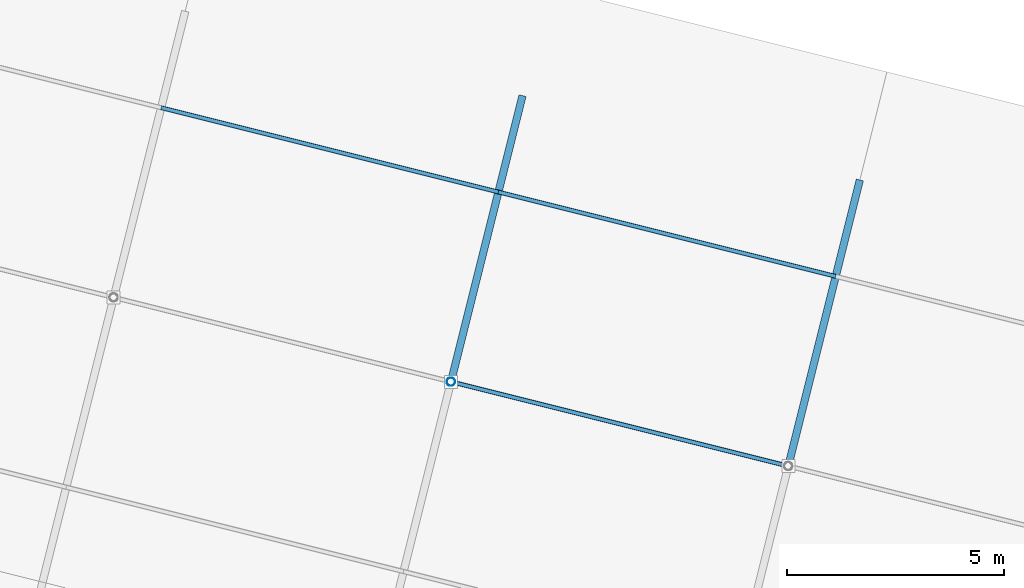
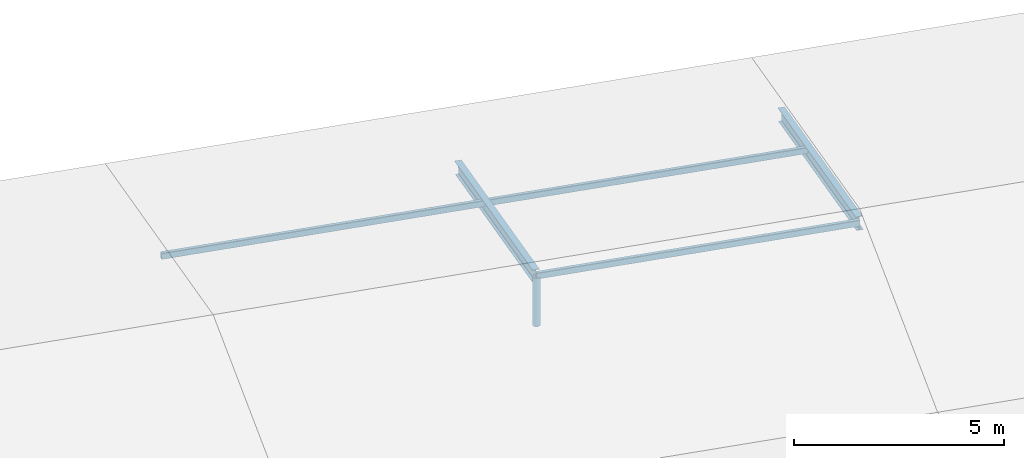
# One storey, part 60 of 107: 6 members.
"""IFC4 building model written with IfcOpenShell, lengths in metres."""

from ifc_helpers import new_model, si_unit, derived_unit, direction, frame, origin, origin_2d, place, context, subcontext, project, spatial, hollow_rectangle, hollow_circle, i_section, extrude, material, material_profile, profile_set, type_object, element, save


model = new_model("IFC4")

# Units and contexts
model_context = context("Model", 3, precision=1e-05, world=origin(), true_north=direction((0.0, 1.0)))
body_context = subcontext(model_context, "Body", "Model", "MODEL_VIEW")
ifc_project = project(units=[si_unit("LENGTHUNIT", "METRE"), si_unit("AREAUNIT", "SQUARE_METRE"), si_unit("VOLUMEUNIT", "CUBIC_METRE"), si_unit("PLANEANGLEUNIT", "RADIAN"), si_unit("MASSUNIT", "GRAM", prefix="KILO"), si_unit("THERMODYNAMICTEMPERATUREUNIT", "KELVIN"), si_unit("TIMEUNIT", "SECOND"), derived_unit("THERMALTRANSMITTANCEUNIT", [(si_unit("MASSUNIT", "GRAM", prefix="KILO"), 1), (si_unit("THERMODYNAMICTEMPERATUREUNIT", "KELVIN"), -1), (si_unit("TIMEUNIT", "SECOND"), -3)])], contexts=[model_context])

# Site, building, storey
site_placement = place(None, origin())
site = spatial("IfcSite", under=ifc_project, at=site_placement, CompositionType="ELEMENT")
building_placement = place(site_placement, origin())
building = spatial("IfcBuilding", under=site, at=building_placement, Name="Cambertide Market Hall", CompositionType="ELEMENT")
storey_placement = place(building_placement, frame((0.0, 0.0, 18.300048828125)))
storey = spatial("IfcBuildingStorey", under=building, at=storey_placement, Name="RF", CompositionType="ELEMENT", Elevation=18.300048828125)

# Members
ifc_material_1 = material(Name="Steel S355", Category="steel")
ifc_material_profile_1 = material_profile(ifc_material_1, i_section(OverallWidth=0.169921875, OverallDepth=0.360107421875, WebThickness=0.008056640625, FlangeThickness=0.0126953125, FilletRadius=0.01806640625, at=origin_2d()), Name="IPE 360")
ifc_profile_set_1 = profile_set([ifc_material_profile_1], Name="Steel S355")
member_type_1 = type_object("IfcMemberType", Name="Radial Fan Rafter IPE 360", PredefinedType="RAFTER", material=ifc_profile_set_1)
member_1_placement = place(storey_placement, frame((136.19482421875, 113.824462890625, 1.003173828125), z_axis=(0.237641829002, 0.950673643448, -0.199363950505), x_axis=(-0.970148882494, 0.242510094215, 0.0)))
element("IfcMember", 1, at=member_1_placement, inside=storey, type_object=member_type_1, Name="RAF-V4-4-4", PredefinedType="RAFTER", context=body_context, shape_type="SweptSolid", body=[
    extrude(i_section(OverallWidth=0.169921875, OverallDepth=0.360107421875, WebThickness=0.008056640625, FlangeThickness=0.0126953125, FilletRadius=0.01806640625, at=origin_2d()), origin(), (0.0, 0.0, 1.0), 6.888427734375),
])
member_2_placement = place(storey_placement, frame((143.955810546875, 111.88427734375, 1.003173828125), z_axis=(0.2376832779, 0.950662224848, -0.199368988695), x_axis=(-0.970138244761, 0.242552645939, 0.0)))
element("IfcMember", 2, at=member_2_placement, inside=storey, type_object=member_type_1, Name="RAF-V4-5-4", PredefinedType="RAFTER", context=body_context, shape_type="SweptSolid", body=[
    extrude(i_section(OverallWidth=0.169921875, OverallDepth=0.360107421875, WebThickness=0.008056640625, FlangeThickness=0.0126953125, FilletRadius=0.01806640625, at=origin_2d()), origin(), (0.0, 0.0, 1.0), 6.88818359375),
])
ifc_material_2 = material(Name="Steel S275", Category="steel")
ifc_material_profile_2 = material_profile(ifc_material_2, hollow_rectangle(XDim=0.10009765625, YDim=0.179931640625, WallThickness=0.00634765625, InnerFilletRadius=0.00634765625, OuterFilletRadius=0.0126953125, at=origin_2d()), Name="RHS 180x100x6.3")
ifc_profile_set_2 = profile_set([ifc_material_profile_2], Name="Steel S275")
member_type_2 = type_object("IfcMemberType", Name="Roof Purlin RHS 180x100x6.3", PredefinedType="PURLIN", material=ifc_profile_set_2)
for number, where, z_axis, x_axis, name in (
    (3, (129.525146484375, 120.13037109375, 0.11767578125), (0.970144295309, -0.242528444268, 0.0), (0.242528444268, 0.970144295309, 0.0), "PUR-V4-3-247"),
    (4, (136.19482421875, 113.824462890625, 1.033203125), (0.970144295309, -0.242528444268, 0.0), (0.242528444268, 0.970144295309, 0.0), "PUR-V4-4-202"),
):
    element("IfcMember", number, at=place(storey_placement, frame(where, z_axis=z_axis, x_axis=x_axis)), inside=storey, type_object=member_type_2, Name=name, PredefinedType="PURLIN", context=body_context, shape_type="SweptSolid", body=[
        extrude(hollow_rectangle(XDim=0.10009765625, YDim=0.179931640625, WallThickness=0.00634765625, InnerFilletRadius=0.00634765625, OuterFilletRadius=0.0126953125, at=origin_2d()), origin(), (0.0, 0.0, 1.0), 7.999755859375),
    ])
member_3_placement = place(storey_placement, frame((137.2861328125, 118.190185546875, 0.11767578125), z_axis=(0.970146090314, -0.242521263911, 0.0), x_axis=(0.242521263911, 0.970146090314, 0.0)))
element("IfcMember", 5, at=member_3_placement, inside=storey, type_object=member_type_2, Name="PUR-V4-4-247", PredefinedType="PURLIN", context=body_context, shape_type="SweptSolid", body=[
    extrude(hollow_rectangle(XDim=0.10009765625, YDim=0.179931640625, WallThickness=0.00634765625, InnerFilletRadius=0.00634765625, OuterFilletRadius=0.0126953125, at=origin_2d()), origin(), (0.0, 0.0, 1.0), 8.0),
])
ifc_material_3 = material(Name="Steel S355", Category="steel")
ifc_material_profile_3 = material_profile(ifc_material_3, hollow_circle(Radius=0.096923828125, WallThickness=0.00634765625, at=origin_2d()), Name="CHS 193.7x6.3")
ifc_profile_set_3 = profile_set([ifc_material_profile_3], Name="Steel S355")
member_type_3 = type_object("IfcMemberType", Name="Structural Brace CHS 193.7x6.3", PredefinedType="BRACE", material=ifc_profile_set_3)
member_4_placement = place(storey_placement, frame((136.19482421875, 113.824462890625, -0.400146484375), z_axis=(0.0, 0.0, 1.0), x_axis=(1.0, 0.0, 0.0)))
element("IfcMember", 6, at=member_4_placement, inside=storey, type_object=member_type_3, Name="KP-V4-4-202", PredefinedType="BRACE", context=body_context, shape_type="SweptSolid", body=[
    extrude(hollow_circle(Radius=0.096923828125, WallThickness=0.00634765625, at=origin_2d()), origin(), (0.0, 0.0, 1.0), 1.4033203125),
])

save(model, "model.ifc")
